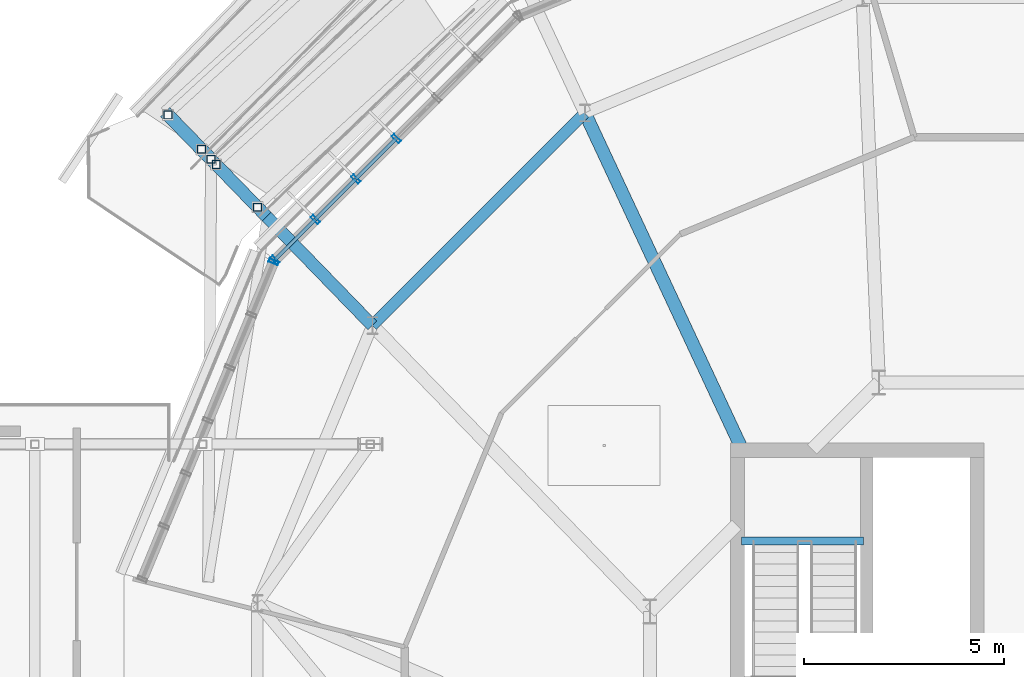
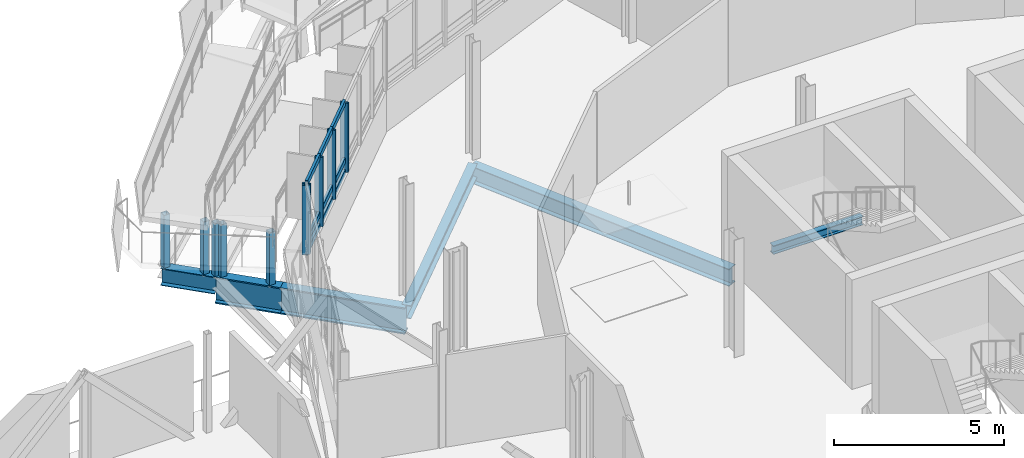
# One storey, part 44 of 107: 19 members, 6 beams, 2 elements without a shape of their own.
"""IFC4 building model written with IfcOpenShell, lengths in metres."""

from ifc_helpers import new_model, si_unit, derived_unit, direction, frame, origin, origin_2d, place, context, subcontext, project, spatial, hollow_rectangle, i_section, extrude, material, layer, layer_set, material_profile, profile_set, type_object, element, aggregate, save


model = new_model("IFC4")

# Units and contexts
model_context = context("Model", 3, precision=1e-05, world=origin(), true_north=direction((0.0, 1.0)))
body_context = subcontext(model_context, "Body", "Model", "MODEL_VIEW")
ifc_project = project(units=[si_unit("LENGTHUNIT", "METRE"), si_unit("AREAUNIT", "SQUARE_METRE"), si_unit("VOLUMEUNIT", "CUBIC_METRE"), si_unit("PLANEANGLEUNIT", "RADIAN"), si_unit("MASSUNIT", "GRAM", prefix="KILO"), derived_unit("THERMALTRANSMITTANCEUNIT", [(si_unit("MASSUNIT", "GRAM", prefix="KILO"), 1), (si_unit("TIMEUNIT", "SECOND"), -3), (si_unit("THERMODYNAMICTEMPERATUREUNIT", "KELVIN"), -1)])], contexts=[model_context])

# Site, building, storey
site_placement = place(None, origin())
site = spatial("IfcSite", under=ifc_project, at=site_placement, CompositionType="ELEMENT")
building_placement = place(site_placement, origin())
building = spatial("IfcBuilding", under=site, at=building_placement, Name="Makaiwela Harbour Ferry Terminal", CompositionType="ELEMENT")
storey_placement = place(building_placement, frame((0.0, 0.0, 9.60009765625)))
storey = spatial("IfcBuildingStorey", under=building, at=storey_placement, Name="L02", CompositionType="ELEMENT", Elevation=9.60009765625)

# Curtain wall, members
ifc_material_1 = material(Name="Marine anodised aluminium 6063-T6", Category="aluminium")
ifc_layer = layer(ifc_material_1, 0.199951171875)
ifc_layer_set = layer_set([ifc_layer], Name="Marine anodised aluminium 6063-T6")
curtain_wall_type = type_object("IfcCurtainWallType", Name="ENV-CW-04", PredefinedType="USERDEFINED", material=ifc_layer_set)
curtain_wall_1_placement = place(storey_placement, origin())
curtain_wall_1 = element("IfcCurtainWall", 1, at=curtain_wall_1_placement, inside=storey, type_object=curtain_wall_type, Name="Unitised Curtain Wall CWA-023", ObjectType="UNITIZED CURTAIN WALL", PredefinedType="USERDEFINED")
ifc_material_profile_1 = material_profile(ifc_material_1, hollow_rectangle(XDim=0.0849609375, YDim=0.25, WallThickness=0.0048828125, at=origin_2d()), Name="CWM-250X85")
ifc_profile_set_1 = profile_set([ifc_material_profile_1], Name="Marine anodised aluminium 6063-T6")
member_type_1 = type_object("IfcMemberType", Name="CW-MUL-250", PredefinedType="MULLION", material=ifc_profile_set_1)
member_1_placement = place(storey_placement, frame((21.65380859375, 83.506103515625, 1.47998046875), z_axis=(0.0, 0.0, 1.0), x_axis=(0.707106781187, 0.707106781187, 0.0)))
member_1 = element("IfcMember", 2, at=member_1_placement, type_object=member_type_1, Name="Curtain Wall Mullion CWA-023-4", PredefinedType="MULLION", context=body_context, shape_type="SweptSolid", body=[
    extrude(hollow_rectangle(XDim=0.0849609375, YDim=0.25, WallThickness=0.0048828125, at=origin_2d()), origin(), (0.0, 0.0, 1.0), 2.47998046875),
])
member_2_placement = place(storey_placement, frame((20.64013671875, 82.492431640625, 1.47998046875), z_axis=(0.0, 0.0, 1.0), x_axis=(0.707106781187, 0.707106781187, 0.0)))
member_2 = element("IfcMember", 3, at=member_2_placement, type_object=member_type_1, Name="Curtain Wall Mullion CWA-023-5", PredefinedType="MULLION", context=body_context, shape_type="SweptSolid", body=[
    extrude(hollow_rectangle(XDim=0.0849609375, YDim=0.25, WallThickness=0.0048828125, at=origin_2d()), origin(), (0.0, 0.0, 1.0), 2.47998046875),
])
member_3_placement = place(storey_placement, frame((19.62646484375, 81.478759765625, 1.47998046875), z_axis=(0.0, 0.0, 1.0), x_axis=(0.707106781187, 0.707106781187, 0.0)))
member_3 = element("IfcMember", 4, at=member_3_placement, type_object=member_type_1, Name="Curtain Wall Mullion CWA-023-6", PredefinedType="MULLION", context=body_context, shape_type="SweptSolid", body=[
    extrude(hollow_rectangle(XDim=0.0849609375, YDim=0.25, WallThickness=0.0048828125, at=origin_2d()), origin(), (0.0, 0.0, 1.0), 2.47998046875),
])
member_4_placement = place(storey_placement, frame((18.612548828125, 80.46484375, 1.47998046875), z_axis=(0.0, 0.0, 1.0), x_axis=(0.707106781187, 0.707106781187, 0.0)))
member_4 = element("IfcMember", 5, at=member_4_placement, type_object=member_type_1, Name="Curtain Wall Mullion CWA-023-7", PredefinedType="MULLION", context=body_context, shape_type="SweptSolid", body=[
    extrude(hollow_rectangle(XDim=0.0849609375, YDim=0.25, WallThickness=0.0048828125, at=origin_2d()), origin(), (0.0, 0.0, 1.0), 2.47998046875),
])

# Curtain wall, member
curtain_wall_2_placement = place(storey_placement, origin())
curtain_wall_2 = element("IfcCurtainWall", 6, at=curtain_wall_2_placement, inside=storey, type_object=curtain_wall_type, Name="Unitised Curtain Wall CWA-024", ObjectType="UNITIZED CURTAIN WALL", PredefinedType="USERDEFINED")
member_5_placement = place(storey_placement, frame((18.579833984375, 80.416015625, 1.47998046875), z_axis=(0.0, 0.0, 1.0), x_axis=(0.382683432365, 0.923879532511, 0.0)))
member_5 = element("IfcMember", 7, at=member_5_placement, type_object=member_type_1, Name="Curtain Wall Mullion CWA-024-1", PredefinedType="MULLION", context=body_context, shape_type="SweptSolid", body=[
    extrude(hollow_rectangle(XDim=0.0849609375, YDim=0.25, WallThickness=0.0048828125, at=origin_2d()), origin(), (0.0, 0.0, 1.0), 2.47998046875),
])
aggregate(curtain_wall_2, [member_5])

# Member
ifc_material_profile_2 = material_profile(ifc_material_1, hollow_rectangle(XDim=0.0849609375, YDim=0.199951171875, WallThickness=0.0048828125, at=origin_2d()), Name="CWT-200X85")
ifc_profile_set_2 = profile_set([ifc_material_profile_2], Name="Marine anodised aluminium 6063-T6")
member_type_2 = type_object("IfcMemberType", Name="CW-TRN-200", PredefinedType="USERDEFINED", material=ifc_profile_set_2)
member_6_placement = place(storey_placement, frame((21.65380859375, 83.506103515625, 1.47998046875), z_axis=(-0.707106781187, -0.707106781187, 0.0), x_axis=(0.707106781187, -0.707106781187, 0.0)))
member_6 = element("IfcMember", 8, at=member_6_placement, type_object=member_type_2, Name="Curtain Wall Transom CWA-023-4-1", ObjectType="TRANSOM", PredefinedType="USERDEFINED", context=body_context, shape_type="SweptSolid", body=[
    extrude(hollow_rectangle(XDim=0.0849609375, YDim=0.199951171875, WallThickness=0.0048828125, at=origin_2d()), origin(), (0.0, 0.0, 1.0), 1.43359375),
])

member_7_placement = place(storey_placement, frame((21.65380859375, 83.506103515625, 1.89990234375), z_axis=(-0.707106781187, -0.707106781187, 0.0), x_axis=(0.707106781187, -0.707106781187, 0.0)))
member_7 = element("IfcMember", 9, at=member_7_placement, type_object=member_type_2, Name="Curtain Wall Transom CWA-023-4-2", ObjectType="TRANSOM", PredefinedType="USERDEFINED", context=body_context, shape_type="SweptSolid", body=[
    extrude(hollow_rectangle(XDim=0.0849609375, YDim=0.199951171875, WallThickness=0.0048828125, at=origin_2d()), origin(), (0.0, 0.0, 1.0), 1.43359375),
])

member_8_placement = place(storey_placement, frame((21.65380859375, 83.506103515625, 3.9599609375), z_axis=(-0.707106781187, -0.707106781187, 0.0), x_axis=(0.707106781187, -0.707106781187, 0.0)))
member_8 = element("IfcMember", 10, at=member_8_placement, type_object=member_type_2, Name="Curtain Wall Transom CWA-023-4-3", ObjectType="TRANSOM", PredefinedType="USERDEFINED", context=body_context, shape_type="SweptSolid", body=[
    extrude(hollow_rectangle(XDim=0.0849609375, YDim=0.199951171875, WallThickness=0.0048828125, at=origin_2d()), origin(), (0.0, 0.0, 1.0), 1.43359375),
])

member_9_placement = place(storey_placement, frame((20.64013671875, 82.492431640625, 1.47998046875), z_axis=(-0.707106781187, -0.707106781187, 0.0), x_axis=(0.707106781187, -0.707106781187, 0.0)))
member_9 = element("IfcMember", 11, at=member_9_placement, type_object=member_type_2, Name="Curtain Wall Transom CWA-023-5-1", ObjectType="TRANSOM", PredefinedType="USERDEFINED", context=body_context, shape_type="SweptSolid", body=[
    extrude(hollow_rectangle(XDim=0.0849609375, YDim=0.199951171875, WallThickness=0.0048828125, at=origin_2d()), origin(), (0.0, 0.0, 1.0), 1.43359375),
])

member_10_placement = place(storey_placement, frame((20.64013671875, 82.492431640625, 1.89990234375), z_axis=(-0.707106781187, -0.707106781187, 0.0), x_axis=(0.707106781187, -0.707106781187, 0.0)))
member_10 = element("IfcMember", 12, at=member_10_placement, type_object=member_type_2, Name="Curtain Wall Transom CWA-023-5-2", ObjectType="TRANSOM", PredefinedType="USERDEFINED", context=body_context, shape_type="SweptSolid", body=[
    extrude(hollow_rectangle(XDim=0.0849609375, YDim=0.199951171875, WallThickness=0.0048828125, at=origin_2d()), origin(), (0.0, 0.0, 1.0), 1.43359375),
])

member_11_placement = place(storey_placement, frame((20.64013671875, 82.492431640625, 3.9599609375), z_axis=(-0.707106781187, -0.707106781187, 0.0), x_axis=(0.707106781187, -0.707106781187, 0.0)))
member_11 = element("IfcMember", 13, at=member_11_placement, type_object=member_type_2, Name="Curtain Wall Transom CWA-023-5-3", ObjectType="TRANSOM", PredefinedType="USERDEFINED", context=body_context, shape_type="SweptSolid", body=[
    extrude(hollow_rectangle(XDim=0.0849609375, YDim=0.199951171875, WallThickness=0.0048828125, at=origin_2d()), origin(), (0.0, 0.0, 1.0), 1.43359375),
])

member_12_placement = place(storey_placement, frame((19.62646484375, 81.478759765625, 1.47998046875), z_axis=(-0.707106781187, -0.707106781187, 0.0), x_axis=(0.707106781187, -0.707106781187, 0.0)))
member_12 = element("IfcMember", 14, at=member_12_placement, type_object=member_type_2, Name="Curtain Wall Transom CWA-023-6-1", ObjectType="TRANSOM", PredefinedType="USERDEFINED", context=body_context, shape_type="SweptSolid", body=[
    extrude(hollow_rectangle(XDim=0.0849609375, YDim=0.199951171875, WallThickness=0.0048828125, at=origin_2d()), origin(), (0.0, 0.0, 1.0), 1.433837890625),
])

member_13_placement = place(storey_placement, frame((19.62646484375, 81.478759765625, 1.89990234375), z_axis=(-0.707106781187, -0.707106781187, 0.0), x_axis=(0.707106781187, -0.707106781187, 0.0)))
member_13 = element("IfcMember", 15, at=member_13_placement, type_object=member_type_2, Name="Curtain Wall Transom CWA-023-6-2", ObjectType="TRANSOM", PredefinedType="USERDEFINED", context=body_context, shape_type="SweptSolid", body=[
    extrude(hollow_rectangle(XDim=0.0849609375, YDim=0.199951171875, WallThickness=0.0048828125, at=origin_2d()), origin(), (0.0, 0.0, 1.0), 1.433837890625),
])

member_14_placement = place(storey_placement, frame((19.62646484375, 81.478759765625, 3.9599609375), z_axis=(-0.707106781187, -0.707106781187, 0.0), x_axis=(0.707106781187, -0.707106781187, 0.0)))
member_14 = element("IfcMember", 16, at=member_14_placement, type_object=member_type_2, Name="Curtain Wall Transom CWA-023-6-3", ObjectType="TRANSOM", PredefinedType="USERDEFINED", context=body_context, shape_type="SweptSolid", body=[
    extrude(hollow_rectangle(XDim=0.0849609375, YDim=0.199951171875, WallThickness=0.0048828125, at=origin_2d()), origin(), (0.0, 0.0, 1.0), 1.433837890625),
])

aggregate(curtain_wall_1, [member_1, member_2, member_3, member_4, member_6, member_7, member_8, member_9, member_10, member_11, member_12, member_13, member_14])

# Beams
ifc_material_2 = material(Name="Steel ASTM A992 Grade 50", Category="steel")
ifc_material_profile_3 = material_profile(ifc_material_2, i_section(OverallWidth=0.324951171875, OverallDepth=0.615966796875, WebThickness=0.013916015625, FlangeThickness=0.021484375, at=origin_2d()), Name="W24X117")
ifc_profile_set_3 = profile_set([ifc_material_profile_3], Name="Steel ASTM A992 Grade 50")
beam_type_1 = type_object("IfcBeamType", Name="STR-GRD-W24X117", PredefinedType="USERDEFINED", material=ifc_profile_set_3)
beam_1_placement = place(storey_placement, frame((30.30712890625, 75.739990234375, -0.568115234375), z_axis=(-0.423434085994, 0.905926914722, 0.0), x_axis=(-0.905926914722, -0.423434085994, 0.0)))
element("IfcBeam", 17, at=beam_1_placement, inside=storey, type_object=beam_type_1, Name="Drum radial girder 165", ObjectType="GIRDER", PredefinedType="USERDEFINED", context=body_context, shape_type="SweptSolid", body=[
    extrude(i_section(OverallWidth=0.324951171875, OverallDepth=0.615966796875, WebThickness=0.013916015625, FlangeThickness=0.021484375, at=origin_2d()), origin(), (0.0, 0.0, 1.0), 9.280517578125),
])
beam_2_placement = place(storey_placement, frame((17.013427734375, 82.98486328125, -0.568115234375), z_axis=(-0.696448486815, 0.717606790111, 0.0), x_axis=(-0.717606790111, -0.696448486815, 0.0)))
element("IfcBeam", 18, at=beam_2_placement, inside=storey, type_object=beam_type_1, Name="Promenade terrace bracket 172", ObjectType="GIRDER", PredefinedType="USERDEFINED", context=body_context, shape_type="SweptSolid", body=[
    extrude(i_section(OverallWidth=0.324951171875, OverallDepth=0.615966796875, WebThickness=0.013916015625, FlangeThickness=0.021484375, at=origin_2d()), origin(), (0.0, 0.0, 1.0), 1.650146484375),
])
ifc_material_profile_4 = material_profile(ifc_material_2, i_section(OverallWidth=0.31005859375, OverallDepth=0.949951171875, WebThickness=0.0244140625, FlangeThickness=0.0439453125, at=origin_2d()), Name="W36X256")
ifc_profile_set_4 = profile_set([ifc_material_profile_4], Name="Steel ASTM A992 Grade 50")
beam_type_2 = type_object("IfcBeamType", Name="STR-GRD-W36X256", PredefinedType="USERDEFINED", material=ifc_profile_set_4)
beam_3_placement = place(storey_placement, frame((21.052490234375, 78.822509765625, -0.735107421875), z_axis=(-0.696393637769, 0.717660017888, 0.0), x_axis=(-0.717660017888, -0.696393637769, 0.0)))
element("IfcBeam", 19, at=beam_3_placement, inside=storey, type_object=beam_type_2, Name="Drum radial overhang 170", ObjectType="GIRDER", PredefinedType="USERDEFINED", context=body_context, shape_type="SweptSolid", body=[
    extrude(i_section(OverallWidth=0.31005859375, OverallDepth=0.949951171875, WebThickness=0.0244140625, FlangeThickness=0.0439453125, at=origin_2d()), origin(), (0.0, 0.0, 1.0), 3.7998046875),
])
beam_4_placement = place(storey_placement, frame((18.40625, 81.549560546875, -0.735107421875), z_axis=(-0.696406971539, 0.717647078997, 0.0), x_axis=(-0.717647078997, -0.696406971539, 0.0)))
element("IfcBeam", 20, at=beam_4_placement, inside=storey, type_object=beam_type_2, Name="Drum overhang radial girder 171", ObjectType="GIRDER", PredefinedType="USERDEFINED", context=body_context, shape_type="SweptSolid", body=[
    extrude(i_section(OverallWidth=0.31005859375, OverallDepth=0.949951171875, WebThickness=0.0244140625, FlangeThickness=0.0439453125, at=origin_2d()), origin(), (0.0, 0.0, 1.0), 2.0),
])
ifc_material_profile_5 = material_profile(ifc_material_2, i_section(OverallWidth=0.205078125, OverallDepth=0.31005859375, WebThickness=0.009521484375, FlangeThickness=0.016357421875, at=origin_2d()), Name="W12X50")
ifc_profile_set_5 = profile_set([ifc_material_profile_5], Name="Steel ASTM A992 Grade 50")
beam_type_3 = type_object("IfcBeamType", Name="STR-LNT-W12X50", PredefinedType="LINTEL", material=ifc_profile_set_5)
beam_5_placement = place(storey_placement, frame((30.304931640625, 73.419921875, 1.794921875), z_axis=(1.0, 0.0, 0.0), x_axis=(0.0, 1.0, 0.0)))
element("IfcBeam", 21, at=beam_5_placement, inside=storey, type_object=beam_type_3, Name="Stair Landing Beam ST-03-L02", PredefinedType="LINTEL", context=body_context, shape_type="SweptSolid", body=[
    extrude(i_section(OverallWidth=0.205078125, OverallDepth=0.31005859375, WebThickness=0.009521484375, FlangeThickness=0.016357421875, at=origin_2d()), origin(), (0.0, 0.0, 1.0), 3.050048828125),
])

# Members
ifc_material_3 = material(Name="Steel ASTM A500 Grade C", Category="steel")
ifc_material_profile_6 = material_profile(ifc_material_3, hollow_rectangle(XDim=0.202880859375, YDim=0.202880859375, WallThickness=0.01171875, at=origin_2d()), Name="HSS8X8X1/2")
ifc_profile_set_6 = profile_set([ifc_material_profile_6], Name="Steel ASTM A500 Grade C")
member_type_3 = type_object("IfcMemberType", Name="STR-PST-HSS8", PredefinedType="POST", material=ifc_profile_set_6)
member_15_placement = place(storey_placement, frame((15.933837890625, 84.09716796875, -0.280029296875), z_axis=(0.0, 0.0, 1.0), x_axis=(1.0, 0.0, 0.0)))
element("IfcMember", 22, at=member_15_placement, inside=storey, type_object=member_type_3, Name="Exterior Ramp Support Post RP-0015", PredefinedType="POST", context=body_context, shape_type="SweptSolid", body=[
    extrude(hollow_rectangle(XDim=0.202880859375, YDim=0.202880859375, WallThickness=0.01171875, at=origin_2d()), origin(), (0.0, 0.0, 1.0), 1.909912109375),
])
for number, where, z_axis, x_axis, name in (
    (23, (16.771728515625, 83.23388671875, -0.280029296875), (0.0, 0.0, 1.0), (1.0, 0.0, 0.0), "Exterior Ramp Support Post RP-0022"),
    (24, (17.010498046875, 82.987548828125, -0.280029296875), (0.0, 0.0, 1.0), (1.0, 0.0, 0.0), "Exterior Ramp Support Post RP-0023"),
):
    element("IfcMember", number, at=place(storey_placement, frame(where, z_axis=z_axis, x_axis=x_axis)), inside=storey, type_object=member_type_3, Name=name, PredefinedType="POST", context=body_context, shape_type="SweptSolid", body=[
        extrude(hollow_rectangle(XDim=0.202880859375, YDim=0.202880859375, WallThickness=0.01171875, at=origin_2d()), origin(), (0.0, 0.0, 1.0), 1.905029296875),
    ])
member_16_placement = place(storey_placement, frame((17.139404296875, 82.85498046875, -0.280029296875), z_axis=(0.0, 0.0, 1.0), x_axis=(1.0, 0.0, 0.0)))
element("IfcMember", 25, at=member_16_placement, inside=storey, type_object=member_type_3, Name="Exterior Ramp Support Post RP-0024", PredefinedType="POST", context=body_context, shape_type="SweptSolid", body=[
    extrude(hollow_rectangle(XDim=0.202880859375, YDim=0.202880859375, WallThickness=0.01171875, at=origin_2d()), origin(), (0.0, 0.0, 1.0), 1.90185546875),
])
member_17_placement = place(storey_placement, frame((18.175048828125, 81.787841796875, -0.280029296875), z_axis=(0.0, 0.0, 1.0), x_axis=(1.0, 0.0, 0.0)))
element("IfcMember", 26, at=member_17_placement, inside=storey, type_object=member_type_3, Name="Exterior Ramp Support Post RP-0029", PredefinedType="POST", context=body_context, shape_type="SweptSolid", body=[
    extrude(hollow_rectangle(XDim=0.202880859375, YDim=0.202880859375, WallThickness=0.01171875, at=origin_2d()), origin(), (0.0, 0.0, 1.0), 1.905029296875),
])

# Beam
ifc_material_profile_7 = material_profile(ifc_material_2, i_section(OverallWidth=0.283935546875, OverallDepth=0.47607421875, WebThickness=0.014892578125, FlangeThickness=0.02392578125, at=origin_2d()), Name="W18X106")
ifc_profile_set_7 = profile_set([ifc_material_profile_7], Name="Steel ASTM A992 Grade 50")
beam_type_4 = type_object("IfcBeamType", Name="STR-SPN-W18X106", PredefinedType="SPANDREL", material=ifc_profile_set_7)
beam_6_placement = place(storey_placement, frame((26.37744140625, 84.1474609375, -0.498046875), z_axis=(-0.707106781187, -0.707106781187, 0.0), x_axis=(0.707106781187, -0.707106781187, 0.0)))
element("IfcBeam", 27, at=beam_6_placement, inside=storey, type_object=beam_type_4, Name="Drum column ring girder 137", PredefinedType="SPANDREL", context=body_context, shape_type="SweptSolid", body=[
    extrude(i_section(OverallWidth=0.283935546875, OverallDepth=0.47607421875, WebThickness=0.014892578125, FlangeThickness=0.02392578125, at=origin_2d()), origin(), (0.0, 0.0, 1.0), 7.530517578125),
])

save(model, "model.ifc")
